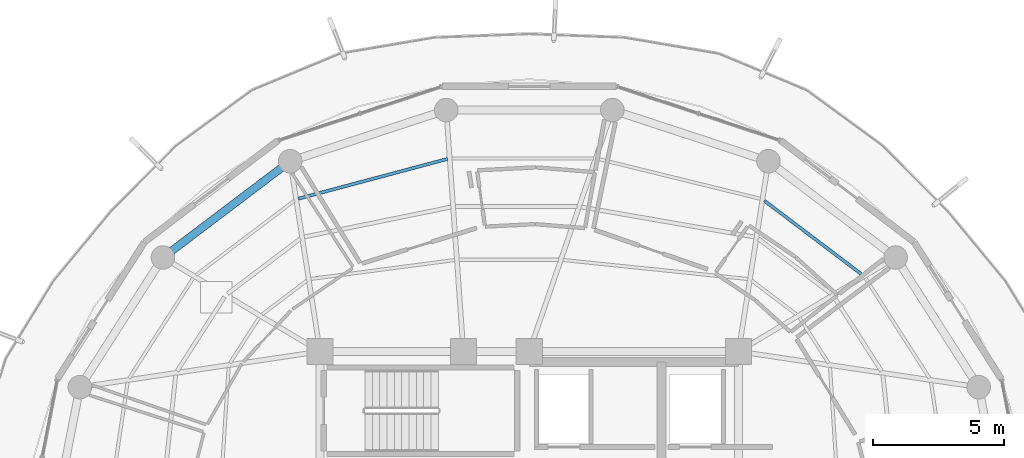
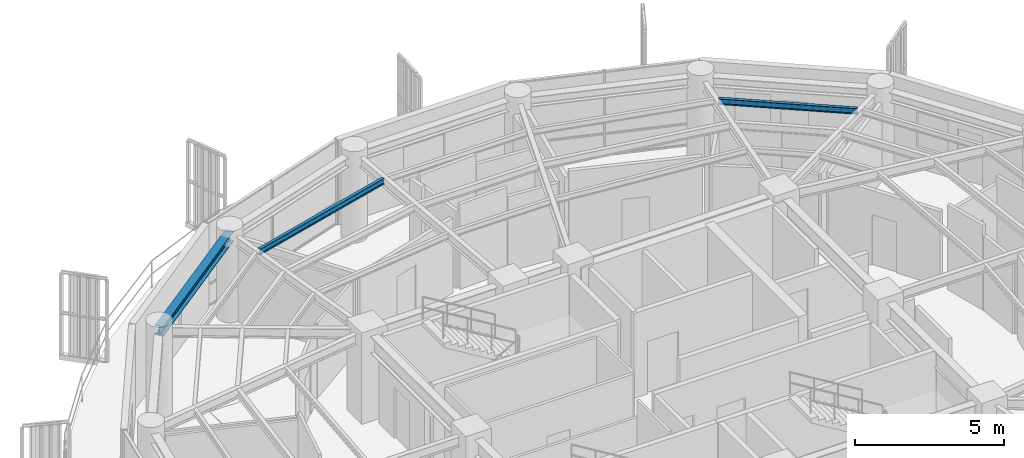
# One storey, part 12 of 23: 3 beams.
"""IFC4 building model written with IfcOpenShell, lengths in metres."""

from ifc_helpers import new_model, si_unit, direction, frame, origin, origin_2d, place, context, subcontext, project, spatial, i_section, extrude, material, material_profile, profile_set, type_object, element, save


model = new_model("IFC4")

# Units and contexts
model_context = context("Model", 3, precision=1e-05, world=origin(), true_north=direction((0.0, 1.0)))
body_context = subcontext(model_context, "Body", "Model", "MODEL_VIEW")
ifc_project = project(units=[si_unit("LENGTHUNIT", "METRE"), si_unit("AREAUNIT", "SQUARE_METRE"), si_unit("VOLUMEUNIT", "CUBIC_METRE"), si_unit("PLANEANGLEUNIT", "RADIAN"), si_unit("MASSUNIT", "GRAM", prefix="KILO")], contexts=[model_context])

# Site, building, storey
site_placement = place(None, origin())
site = spatial("IfcSite", under=ifc_project, at=site_placement, CompositionType="ELEMENT")
building_placement = place(site_placement, origin())
building = spatial("IfcBuilding", under=site, at=building_placement, Name="Kelanora Arch Commons", CompositionType="ELEMENT")
storey_placement = place(building_placement, frame((0.0, 0.0, 256.199951171875)))
storey = spatial("IfcBuildingStorey", under=building, at=storey_placement, Name="L65", CompositionType="ELEMENT", Elevation=256.199951171875)

# Beams
ifc_material = material(Name="Steel S355", Category="steel")
ifc_material_profile_1 = material_profile(ifc_material, i_section(OverallWidth=0.1201171875, OverallDepth=0.239990234375, WebThickness=0.006103515625, FlangeThickness=0.009765625, FilletRadius=0.014892578125, at=origin_2d()), Name="IPE240")
ifc_profile_set_1 = profile_set([ifc_material_profile_1], Name="Steel S355")
beam_type_1 = type_object("IfcBeamType", Name="BM-JST-02", PredefinedType="JOIST", material=ifc_profile_set_1)
beam_1_placement = place(storey_placement, frame((86.73486328125, 67.92578125, 3.3701171875), z_axis=(-0.79752302984, 0.60328850219, 0.0), x_axis=(-0.60328850219, -0.79752302984, 0.0)))
element("IfcBeam", 1, at=beam_1_placement, inside=storey, type_object=beam_type_1, Name="Secondary Chord Joist BJC-04 L65", PredefinedType="JOIST", context=body_context, shape_type="SweptSolid", body=[
    extrude(i_section(OverallWidth=0.1201171875, OverallDepth=0.239990234375, WebThickness=0.006103515625, FlangeThickness=0.009765625, FilletRadius=0.014892578125, at=origin_2d()), origin(), (0.0, 0.0, 1.0), 4.70849609375),
])
beam_2_placement = place(storey_placement, frame((70.87451171875, 72.36181640625, 3.3701171875), z_axis=(-0.966190312964, -0.257829942278, 0.0), x_axis=(0.257829942278, -0.966190312964, 0.0)))
element("IfcBeam", 2, at=beam_2_placement, inside=storey, type_object=beam_type_1, Name="Secondary Chord Joist BJC-10 L65", PredefinedType="JOIST", context=body_context, shape_type="SweptSolid", body=[
    extrude(i_section(OverallWidth=0.1201171875, OverallDepth=0.239990234375, WebThickness=0.006103515625, FlangeThickness=0.009765625, FilletRadius=0.014892578125, at=origin_2d()), origin(), (0.0, 0.0, 1.0), 5.904052734375),
])
ifc_material_profile_2 = material_profile(ifc_material, i_section(OverallWidth=0.300048828125, OverallDepth=0.39990234375, WebThickness=0.013427734375, FlangeThickness=0.02392578125, FilletRadius=0.027099609375, at=origin_2d()), Name="HEB400")
ifc_profile_set_2 = profile_set([ifc_material_profile_2], Name="Steel S355")
beam_type_2 = type_object("IfcBeamType", Name="BM-SPN-Z4", PredefinedType="SPANDREL", material=ifc_profile_set_2)
beam_3_placement = place(storey_placement, frame((64.860107421875, 72.272216796875, 3.2900390625), z_axis=(-0.797509460967, -0.603306439273, 0.0), x_axis=(0.603306439273, -0.797509460967, 0.0)))
element("IfcBeam", 3, at=beam_3_placement, inside=storey, type_object=beam_type_2, Name="Perimeter Spandrel Beam BS-12 L65", PredefinedType="SPANDREL", context=body_context, shape_type="SweptSolid", body=[
    extrude(i_section(OverallWidth=0.300048828125, OverallDepth=0.39990234375, WebThickness=0.013427734375, FlangeThickness=0.02392578125, FilletRadius=0.027099609375, at=origin_2d()), origin(), (0.0, 0.0, 1.0), 6.098388671875),
])

save(model, "model.ifc")
